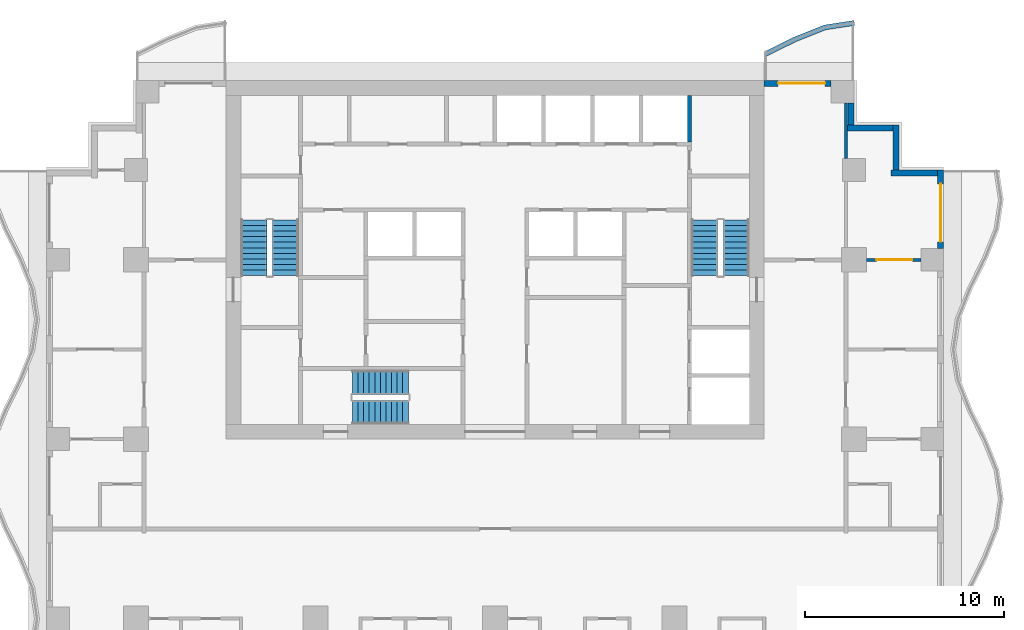
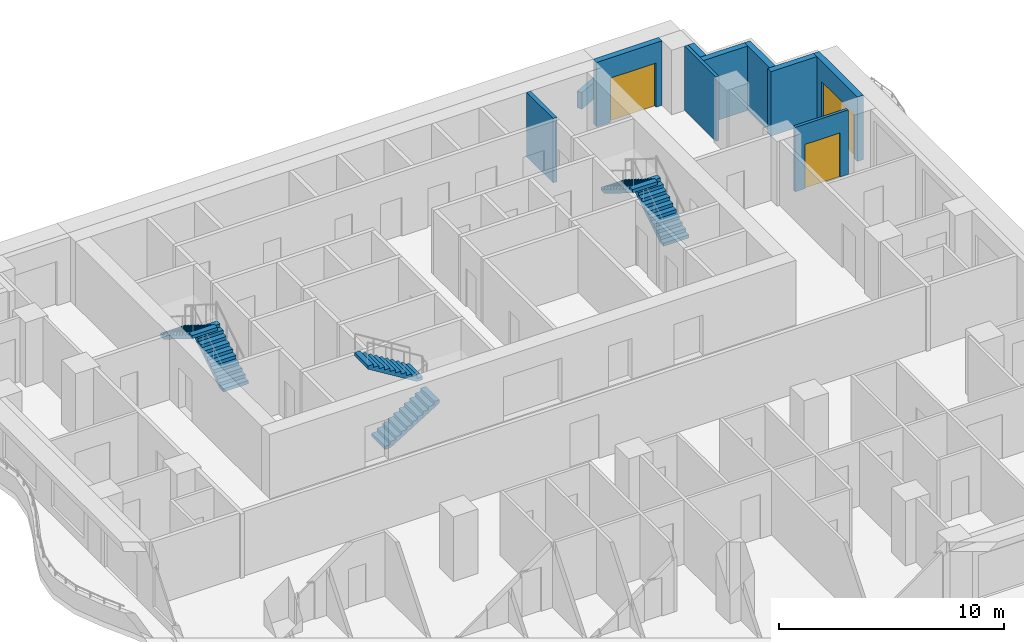
# One storey, part 6 of 10: 10 walls, 6 stair flights, 3 doors, 3 openings, 3 elements without a shape of their own.
"""IFC4 building model written with IfcOpenShell, lengths in metres."""

import ifcopenshell
import ifcopenshell.guid

model = None  # the IFC model being written
_history = None  # IfcOwnerHistory: only IFC2X3 demands one
_inside = {}  # id of a spatial element -> (the spatial element, [elements in it])
_under = {}  # id of a project, library or spatial element -> (it, [spatial elements below it])
_declared = {}  # id of a project -> (the project, [libraries it declares])
_typed = {}  # id of a type object -> (the type object, [elements of that type])
_made_of = {}  # id of a material, layer set ... -> (it, [elements and type objects made of it])


def new_model(schema):
    """Start an empty IFC model of exactly this schema.

    Asked for "IFC4X3", IfcOpenShell would pick the latest addendum, in which some entities
    have other attributes; the version numbers below select the first issue.
    IFC2X3 requires an IfcOwnerHistory on every rooted entity: one is made here for all.
    """
    global model, _history
    if schema == "IFC4X3":
        model = ifcopenshell.file(schema_version=(4, 3, 0, 0))
    else:
        model = ifcopenshell.file(schema=schema)
    _inside.clear()
    _under.clear()
    _declared.clear()
    _typed.clear()
    _made_of.clear()
    _history = None
    if model.schema == "IFC2X3":
        org = make("IfcOrganization", Name="unknown")
        user = make(
            "IfcPersonAndOrganization",
            ThePerson=make("IfcPerson", FamilyName="unknown"),
            TheOrganization=org,
        )
        app = make(
            "IfcApplication",
            ApplicationDeveloper=org,
            Version="unknown",
            ApplicationFullName="unknown",
            ApplicationIdentifier="unknown",
        )
        _history = make(
            "IfcOwnerHistory",
            OwningUser=user,
            OwningApplication=app,
            ChangeAction="ADDED",
            CreationDate=0,
        )
    return model


def make(cls, **values):
    """One entity of the class cls with the attributes given. An attribute that is None is left unset."""
    return model.create_entity(
        cls, **{name: value for name, value in values.items() if value is not None}
    )


def rooted(cls, **values):
    """An entity with a GlobalId (a new one), such as an element, a storey or a relation."""
    return make(cls, GlobalId=ifcopenshell.guid.new(), OwnerHistory=_history, **values)


def si_unit(unit_type, name, prefix=None):
    """IfcSIUnit, for example si_unit("LENGTHUNIT", "METRE", prefix="MILLI")."""
    return make("IfcSIUnit", UnitType=unit_type, Prefix=prefix, Name=name)


def assignment(units):
    """IfcUnitAssignment: the units of a project."""
    return None if units is None else make("IfcUnitAssignment", Units=units)


def point(xyz):
    """IfcCartesianPoint."""
    return None if xyz is None else make("IfcCartesianPoint", Coordinates=xyz)


def direction(xyz):
    """IfcDirection."""
    return None if xyz is None else make("IfcDirection", DirectionRatios=xyz)


def frame(location, z_axis=None, x_axis=None):
    """IfcAxis2Placement3D, a coordinate frame: its origin and axes. An axis left out is left unset."""
    return make(
        "IfcAxis2Placement3D",
        Location=point(location),
        Axis=direction(z_axis),
        RefDirection=direction(x_axis),
    )


def frame_2d(location, x_axis=None):
    """IfcAxis2Placement2D, a coordinate frame in the plane: its origin and x axis."""
    return make(
        "IfcAxis2Placement2D", Location=point(location), RefDirection=direction(x_axis)
    )


def origin():
    """The frame at (0, 0, 0) with its axes left unset."""
    return frame((0.0, 0.0, 0.0))


def place(relative_to, where):
    """IfcLocalPlacement: puts the frame where relative to a parent placement (None: the world)."""
    return make(
        "IfcLocalPlacement", PlacementRelTo=relative_to, RelativePlacement=where
    )


def context(
    kind, dimensions, precision=None, world=None, true_north=None, identifier=None
):
    """IfcGeometricRepresentationContext, for example the 3D "Model" context."""
    return make(
        "IfcGeometricRepresentationContext",
        ContextIdentifier=identifier,
        ContextType=kind,
        CoordinateSpaceDimension=dimensions,
        Precision=precision,
        WorldCoordinateSystem=world,
        TrueNorth=true_north,
    )


def subcontext(parent, identifier, kind, view, scale=None):
    """IfcGeometricRepresentationSubContext, for example "Body" below "Model"."""
    return make(
        "IfcGeometricRepresentationSubContext",
        ContextIdentifier=identifier,
        ContextType=kind,
        ParentContext=parent,
        TargetScale=scale,
        TargetView=view,
    )


def project(units=None, contexts=None):
    """IfcProject with its units and contexts."""
    return rooted(
        "IfcProject",
        Name="project",
        RepresentationContexts=contexts,
        UnitsInContext=assignment(units),
    )


def spatial(cls, under=None, at=None, **own):
    """A site, building, storey or space (cls), placed at a placement, below another one or the project."""
    s = rooted(cls, ObjectPlacement=at, **own)
    if under is not None:
        _under.setdefault(under.id(), (under, []))[1].append(s)
    return s


def polyline(points):
    """IfcPolyline through the points."""
    return make("IfcPolyline", Points=[point(p) for p in points])


def profile(cls, at=None, kind="AREA", **sizes):
    """A parametric profile (cls). Its sizes go by their IFC names, for example OverallWidth=200.0."""
    return make(cls, ProfileType=kind, Position=at, **sizes)


def rectangle(**sizes):
    """IfcRectangleProfileDef."""
    return profile("IfcRectangleProfileDef", **sizes)


def outline(outer, holes=None, kind="AREA"):
    """IfcArbitraryClosedProfileDef: a profile drawn as a closed curve; with holes, ...WithVoids."""
    if holes is None:
        return make("IfcArbitraryClosedProfileDef", ProfileType=kind, OuterCurve=outer)
    return make(
        "IfcArbitraryProfileDefWithVoids",
        ProfileType=kind,
        OuterCurve=outer,
        InnerCurves=holes,
    )


def extrude(swept, where, along, depth):
    """IfcExtrudedAreaSolid: the profile swept, set in the frame where, extruded along a direction by depth."""
    return make(
        "IfcExtrudedAreaSolid",
        SweptArea=swept,
        Position=where,
        ExtrudedDirection=direction(along),
        Depth=depth,
    )


def shape(context_of_items, identifier, shape_type, items):
    """IfcShapeRepresentation: the items that make up one representation, for example the "Body"."""
    return make(
        "IfcShapeRepresentation",
        ContextOfItems=context_of_items,
        RepresentationIdentifier=identifier,
        RepresentationType=shape_type,
        Items=items,
    )


def material(Name=None, Category=None):
    """IfcMaterial."""
    return make("IfcMaterial", Name=Name, Category=Category)


def layer(
    of_material, thickness, ventilated=None, Name=None, Category=None, Priority=None
):
    """IfcMaterialLayer: one layer of a wall or slab, of a material (None: an air gap)."""
    return make(
        "IfcMaterialLayer",
        Material=of_material,
        LayerThickness=thickness,
        IsVentilated=ventilated,
        Name=Name,
        Category=Category,
        Priority=Priority,
    )


def layer_set(layers, Name=None):
    """IfcMaterialLayerSet."""
    return make("IfcMaterialLayerSet", MaterialLayers=layers, LayerSetName=Name)


def made_of(thing, what):
    """Note that an element or type object is made of a material, layer set ...; save() writes the relation."""
    if what is not None:
        _made_of.setdefault(what.id(), (what, []))[1].append(thing)
    return thing


def type_object(cls, material=None, **own):
    """A type object (cls), such as IfcWallType, which elements share."""
    return made_of(rooted(cls, **own), material)


def element(
    cls,
    number,
    at=None,
    inside=None,
    cuts=None,
    type_object=None,
    material=None,
    context=None,
    identifier="Body",
    shape_type=None,
    held_by="IfcProductDefinitionShape",
    body=None,
    shapes=None,
    **own,
):
    """One element of the class cls, such as IfcWall. Its Tag is "e" and its number.

    at: its placement. inside: the storey or other place that contains it. cuts: it is an
    opening in that element (IfcRelVoidsElement). A single representation is given by context,
    identifier, shape_type and body (its items); several are given by shapes. held_by: the class
    of the entity that holds the representations. save() writes the other relations.
    """
    e = rooted(cls, Tag="e%d" % number, ObjectPlacement=at, **own)
    if body is not None:
        shapes = [shape(context, identifier, shape_type, body)]
    if shapes is not None:
        e.Representation = make(held_by, Representations=shapes)
    if inside is not None:
        _inside.setdefault(inside.id(), (inside, []))[1].append(e)
    if cuts is not None:
        rooted(
            "IfcRelVoidsElement", RelatingBuildingElement=cuts, RelatedOpeningElement=e
        )
    if type_object is not None:
        _typed.setdefault(type_object.id(), (type_object, []))[1].append(e)
    return made_of(e, material)


def fill(opening, filler):
    """IfcRelFillsElement: the door or window that sits in an opening."""
    return rooted(
        "IfcRelFillsElement",
        RelatingOpeningElement=opening,
        RelatedBuildingElement=filler,
    )


def aggregate(whole, parts):
    """IfcRelAggregates: a whole, such as a stair, and the parts it consists of."""
    return rooted("IfcRelAggregates", RelatingObject=whole, RelatedObjects=parts)


def save(model, path):
    """Write the relations noted so far, then the file.

    IfcRelAggregates (storeys below a building ...), IfcRelContainedInSpatialStructure (elements
    in a storey), IfcRelDefinesByType, IfcRelAssociatesMaterial and IfcRelDeclares: one each for
    every whole, place, type object, material and project.
    """
    for whole, parts in _under.values():
        aggregate(whole, parts)
    for where, things in _inside.values():
        rooted(
            "IfcRelContainedInSpatialStructure",
            RelatedElements=things,
            RelatingStructure=where,
        )
    for kind, things in _typed.values():
        rooted("IfcRelDefinesByType", RelatedObjects=things, RelatingType=kind)
    for what, things in _made_of.values():
        rooted("IfcRelAssociatesMaterial", RelatedObjects=things, RelatingMaterial=what)
    for by, libraries in _declared.values():
        rooted("IfcRelDeclares", RelatingContext=by, RelatedDefinitions=libraries)
    model.write(path)


model = new_model("IFC4")

# Units and contexts
model_context = context("Model", 3, precision=1e-05, world=origin(), true_north=direction((0.0, 1.0)))
body_context = subcontext(model_context, "Body", "Model", "MODEL_VIEW")
ifc_project = project(units=[si_unit("LENGTHUNIT", "METRE"), si_unit("AREAUNIT", "SQUARE_METRE"), si_unit("VOLUMEUNIT", "CUBIC_METRE"), si_unit("PLANEANGLEUNIT", "RADIAN"), si_unit("MASSUNIT", "GRAM", prefix="KILO")], contexts=[model_context])

# Site, building, storey
site_placement = place(None, origin())
site = spatial("IfcSite", under=ifc_project, at=site_placement, CompositionType="ELEMENT")
building_placement = place(site_placement, origin())
building = spatial("IfcBuilding", under=site, at=building_placement, Name="Orbiselva Terraces", CompositionType="ELEMENT")
storey_placement = place(building_placement, frame((0.0, 0.0, 151.6)))
storey = spatial("IfcBuildingStorey", under=building, at=storey_placement, Name="L38", CompositionType="ELEMENT", Elevation=151.6)

# Walls
ifc_material_1 = material(Name="Concrete C40/50", Category="concrete")
ifc_layer_1 = layer(ifc_material_1, 0.2)
ifc_layer_set_1 = layer_set([ifc_layer_1], Name="Concrete C40/50")
wall_type_1 = type_object("IfcWallType", Name="CORE-WALL-SHAFT-200", PredefinedType="PARTITIONING", material=ifc_layer_set_1)
wall_1_placement = place(storey_placement, frame((9.75, 19.4, 0.0), z_axis=(0.0, 0.0, 1.0), x_axis=(0.0, 1.0, 0.0)))
element("IfcWall", 1, at=wall_1_placement, inside=storey, type_object=wall_type_1, Name="L38 core wall 52", PredefinedType="PARTITIONING", context=body_context, shape_type="SweptSolid", body=[
    extrude(rectangle(XDim=2.35, YDim=0.2, at=frame_2d((1.175, 0.0))), origin(), (0.0, 0.0, 1.0), 3.5),
])
ifc_layer_2 = layer(ifc_material_1, 0.25)
ifc_layer_set_2 = layer_set([ifc_layer_2], Name="Concrete C40/50")
wall_type_2 = type_object("IfcWallType", Name="ENV-PLANTER-250x900", PredefinedType="USERDEFINED", material=ifc_layer_set_2)
wall_2_placement = place(storey_placement, origin())
element("IfcWall", 2, at=wall_2_placement, inside=storey, type_object=wall_type_2, Name="Balcony planter L38 NE", ObjectType="PLANTER", PredefinedType="USERDEFINED", context=body_context, shape_type="SweptSolid", body=[
    extrude(outline(polyline([(18.0, 25.5), (16.5, 25.27082), (15.0, 24.67082), (13.5, 23.92918), (13.610803, 23.705076), (15.101983, 24.442355), (16.566166, 25.028028), (18.037758, 25.252868), (18.0, 25.5)])), origin(), (0.0, 0.0, 1.0), 0.9),
])

# Wall, opening, door
ifc_material_2 = material(Name="Terracotta cladding on masonry backing", Category="masonry")
ifc_layer_3 = layer(ifc_material_2, 0.3)
ifc_layer_set_3 = layer_set([ifc_layer_3], Name="Terracotta cladding on masonry backing")
wall_type_3 = type_object("IfcWallType", Name="ENV-WALL-TERRACOTTA-300", PredefinedType="SOLIDWALL", material=ifc_layer_set_3)
wall_3_placement = place(storey_placement, frame((22.35, 18.0, 0.0), z_axis=(0.0, 0.0, 1.0), x_axis=(0.0, -1.0, 0.0)))
wall_3 = element("IfcWall", 3, at=wall_3_placement, inside=storey, type_object=wall_type_3, Name="Facade wall L38 E", PredefinedType="SOLIDWALL", context=body_context, shape_type="SweptSolid", body=[
    extrude(rectangle(XDim=3.925, YDim=0.3, at=frame_2d((1.9625, 0.0))), origin(), (0.0, 0.0, 1.0), 3.5),
])
opening_1_placement = place(wall_3_placement, frame((0.7, 0.0, 0.0)))
opening_1 = element("IfcOpeningElement", 4, at=opening_1_placement, cuts=wall_3, Name="Opening Z3-C-E07", PredefinedType="OPENING", context=body_context, shape_type="SweptSolid", body=[
    extrude(rectangle(XDim=2.9, YDim=2.4, at=frame_2d((1.45, 1.2))), frame((0.0, 0.16, 0.0), z_axis=(0.0, -1.0, 0.0), x_axis=(1.0, 0.0, 0.0)), (0.0, 0.0, 1.0), 0.32),
])
ifc_material_3 = material(Name="Clear low-e glazing in aluminium frame", Category="aluminium")
door_type_1 = type_object("IfcDoorType", Name="BALCONY DOOR 2900 X 2400", OperationType="DOUBLE_DOOR_SLIDING", PredefinedType="DOOR", material=ifc_material_3)
door_1_placement = place(opening_1_placement, origin())
door_1 = element("IfcDoor", 5, at=door_1_placement, inside=storey, type_object=door_type_1, Name="Z3-C-E07", OperationType="SINGLE_SWING_LEFT", OverallHeight=2.4, OverallWidth=2.9, PredefinedType="DOOR", context=body_context, shape_type="SweptSolid", body=[
    extrude(rectangle(XDim=2.9, YDim=2.4, at=frame_2d((1.45, 1.2))), frame((0.0, 0.025, 0.0), z_axis=(0.0, -1.0, 0.0), x_axis=(1.0, 0.0, 0.0)), (0.0, 0.0, 1.0), 0.05),
])
fill(opening_1, door_1)

# Walls
wall_4_placement = place(storey_placement, frame((19.85, 17.85, 0.0), z_axis=(0.0, 0.0, 1.0), x_axis=(1.0, 0.0, 0.0)))
element("IfcWall", 6, at=wall_4_placement, inside=storey, type_object=wall_type_3, Name="Facade wall L38 STEP", PredefinedType="SOLIDWALL", context=body_context, shape_type="SweptSolid", body=[
    extrude(rectangle(XDim=2.35, YDim=0.3, at=frame_2d((1.175, 0.0))), origin(), (0.0, 0.0, 1.0), 3.5),
])
wall_5_placement = place(storey_placement, frame((20.1, 20.25, 0.0), z_axis=(0.0, 0.0, 1.0), x_axis=(0.0, -1.0, 0.0)))
element("IfcWall", 7, at=wall_5_placement, inside=storey, type_object=wall_type_3, Name="Facade wall L38 STEP", PredefinedType="SOLIDWALL", context=body_context, shape_type="SweptSolid", body=[
    extrude(rectangle(XDim=2.25, YDim=0.3, at=frame_2d((1.125, 0.0))), origin(), (0.0, 0.0, 1.0), 3.5),
])
wall_6_placement = place(storey_placement, frame((17.6, 20.1, 0.0), z_axis=(0.0, 0.0, 1.0), x_axis=(1.0, 0.0, 0.0)))
element("IfcWall", 8, at=wall_6_placement, inside=storey, type_object=wall_type_3, Name="Facade wall L38 STEP", PredefinedType="SOLIDWALL", context=body_context, shape_type="SweptSolid", body=[
    extrude(rectangle(XDim=2.35, YDim=0.3, at=frame_2d((1.175, 0.0))), origin(), (0.0, 0.0, 1.0), 3.5),
])
wall_7_placement = place(storey_placement, frame((17.85, 21.35, 0.0), z_axis=(0.0, 0.0, 1.0), x_axis=(0.0, -1.0, 0.0)))
element("IfcWall", 9, at=wall_7_placement, inside=storey, type_object=wall_type_3, Name="Facade wall L38 STEP", PredefinedType="SOLIDWALL", context=body_context, shape_type="SweptSolid", body=[
    extrude(rectangle(XDim=1.1, YDim=0.3, at=frame_2d((0.55, 0.0))), origin(), (0.0, 0.0, 1.0), 3.5),
])

# Wall, opening, door
wall_8_placement = place(storey_placement, frame((13.5, 22.35, 0.0), z_axis=(0.0, 0.0, 1.0), x_axis=(1.0, 0.0, 0.0)))
wall_8 = element("IfcWall", 10, at=wall_8_placement, inside=storey, type_object=wall_type_3, Name="Facade wall L38 NE", PredefinedType="SOLIDWALL", context=body_context, shape_type="SweptSolid", body=[
    extrude(rectangle(XDim=3.35, YDim=0.3, at=frame_2d((1.675, 0.0))), origin(), (0.0, 0.0, 1.0), 3.5),
])
opening_2_placement = place(wall_8_placement, frame((0.7, 0.0, 0.0)))
opening_2 = element("IfcOpeningElement", 11, at=opening_2_placement, cuts=wall_8, Name="Opening Z3-C-E08", PredefinedType="OPENING", context=body_context, shape_type="SweptSolid", body=[
    extrude(rectangle(XDim=2.35, YDim=2.4, at=frame_2d((1.175, 1.2))), frame((0.0, 0.16, 0.0), z_axis=(0.0, -1.0, 0.0), x_axis=(1.0, 0.0, 0.0)), (0.0, 0.0, 1.0), 0.32),
])
door_type_2 = type_object("IfcDoorType", Name="BALCONY DOOR 2350 X 2400", OperationType="DOUBLE_DOOR_SLIDING", PredefinedType="DOOR", material=ifc_material_3)
door_2_placement = place(opening_2_placement, origin())
door_2 = element("IfcDoor", 12, at=door_2_placement, inside=storey, type_object=door_type_2, Name="Z3-C-E08", OperationType="SINGLE_SWING_LEFT", OverallHeight=2.4, OverallWidth=2.35, PredefinedType="DOOR", context=body_context, shape_type="SweptSolid", body=[
    extrude(rectangle(XDim=2.35, YDim=2.4, at=frame_2d((1.175, 1.2))), frame((0.0, 0.025, 0.0), z_axis=(0.0, -1.0, 0.0), x_axis=(1.0, 0.0, 0.0)), (0.0, 0.0, 1.0), 0.05),
])
fill(opening_2, door_2)

ifc_material_4 = material(Name="Plasterboard on steel stud partition", Category="steel")
ifc_layer_4 = layer(ifc_material_4, 0.15)
ifc_layer_set_4 = layer_set([ifc_layer_4], Name="Plasterboard on steel stud partition")
wall_type_4 = type_object("IfcWallType", Name="UNIT-PARTITION-150", PredefinedType="PARTITIONING", material=ifc_layer_set_4)
wall_9_placement = place(storey_placement, frame((18.625, 13.5, 0.0), z_axis=(0.0, 0.0, 1.0), x_axis=(1.0, 0.0, 0.0)))
wall_9 = element("IfcWall", 13, at=wall_9_placement, inside=storey, type_object=wall_type_4, Name="PARTITION L38-033", PredefinedType="PARTITIONING", context=body_context, shape_type="SweptSolid", body=[
    extrude(rectangle(XDim=2.725, YDim=0.15, at=frame_2d((1.3625, 0.0))), origin(), (0.0, 0.0, 1.0), 3.5),
])
opening_3_placement = place(wall_9_placement, frame((0.5, 0.0, 0.0)))
opening_3 = element("IfcOpeningElement", 14, at=opening_3_placement, cuts=wall_9, Name="Opening Z3-C-12", PredefinedType="OPENING", context=body_context, shape_type="SweptSolid", body=[
    extrude(rectangle(XDim=1.8, YDim=2.4, at=frame_2d((0.9, 1.2))), frame((0.0, 0.085, 0.0), z_axis=(0.0, -1.0, 0.0), x_axis=(1.0, 0.0, 0.0)), (0.0, 0.0, 1.0), 0.17),
])
ifc_material_5 = material(Name="Painted timber door leaf", Category="wood")
door_type_3 = type_object("IfcDoorType", Name="DOUBLE DOOR 1800", OperationType="NOTDEFINED", PredefinedType="DOOR", material=ifc_material_5)
door_3_placement = place(opening_3_placement, origin())
door_3 = element("IfcDoor", 15, at=door_3_placement, inside=storey, type_object=door_type_3, Name="Z3-C-12", OperationType="DOUBLE_DOOR_SINGLE_SWING", OverallHeight=2.4, OverallWidth=1.8, PredefinedType="DOOR", context=body_context, shape_type="SweptSolid", body=[
    extrude(rectangle(XDim=1.8, YDim=2.4, at=frame_2d((0.9, 1.2))), frame((0.0, 0.025, 0.0), z_axis=(0.0, -1.0, 0.0), x_axis=(1.0, 0.0, 0.0)), (0.0, 0.0, 1.0), 0.05),
])
fill(opening_3, door_3)

# Wall
wall_10_placement = place(storey_placement, frame((17.6, 18.575, 0.0), z_axis=(0.0, 0.0, 1.0), x_axis=(0.0, 1.0, 0.0)))
element("IfcWall", 16, at=wall_10_placement, inside=storey, type_object=wall_type_4, Name="PARTITION L38-062", PredefinedType="PARTITIONING", context=body_context, shape_type="SweptSolid", body=[
    extrude(rectangle(XDim=2.775, YDim=0.15, at=frame_2d((1.3875, 0.0))), origin(), (0.0, 0.0, 1.0), 3.5),
])

# Stair, stair flights
stair_type_1 = type_object("IfcStairType", Name="CORE-STAIR-1200", PredefinedType="HALF_TURN_STAIR", material=ifc_material_1)
stair_1_placement = place(storey_placement, origin())
stair_1 = element("IfcStair", 17, at=stair_1_placement, inside=storey, type_object=stair_type_1, Name="L38 Exit Stair S3", PredefinedType="HALF_TURN_STAIR")
stair_flight_type_1 = type_object("IfcStairFlightType", Name="CORE-STAIR-FLIGHT-1200", PredefinedType="STRAIGHT", material=ifc_material_1)
stair_flight_1_placement = place(storey_placement, frame((-7.15, 5.85, 0.0), z_axis=(0.0, 0.0, 1.0), x_axis=(1.0, 0.0, 0.0)))
stair_flight_1 = element("IfcStairFlight", 18, at=stair_flight_1_placement, type_object=stair_flight_type_1, Name="S3 flight 1", NumberOfRisers=11, NumberOfTreads=10, PredefinedType="STRAIGHT", RiserHeight=0.172727273, TreadLength=0.28, context=body_context, shape_type="SweptSolid", body=[
    extrude(outline(polyline([(0.0, 0.0), (0.0, 0.172727), (0.28, 0.172727), (0.28, 0.345455), (0.56, 0.345455), (0.56, 0.518182), (0.84, 0.518182), (0.84, 0.690909), (1.12, 0.690909), (1.12, 0.863636), (1.4, 0.863636), (1.4, 1.036364), (1.68, 1.036364), (1.68, 1.209091), (1.96, 1.209091), (1.96, 1.381818), (2.24, 1.381818), (2.24, 1.554545), (2.52, 1.554545), (2.52, 1.727273), (2.8, 1.727273), (2.8, 1.9), (2.8, 1.551028), (0.285702, 0.0), (0.0, 0.0)])), frame((0.0, 0.6, 0.0), z_axis=(0.0, -1.0, 0.0), x_axis=(1.0, 0.0, 0.0)), (0.0, 0.0, 1.0), 1.2),
])
stair_flight_2_placement = place(storey_placement, frame((-4.35, 7.35, 1.9), z_axis=(0.0, 0.0, 1.0), x_axis=(-1.0, 0.0, 0.0)))
stair_flight_2 = element("IfcStairFlight", 19, at=stair_flight_2_placement, type_object=stair_flight_type_1, Name="S3 flight 2", NumberOfRisers=11, NumberOfTreads=10, PredefinedType="STRAIGHT", RiserHeight=0.172727273, TreadLength=0.28, context=body_context, shape_type="SweptSolid", body=[
    extrude(outline(polyline([(0.0, 0.0), (0.0, 0.172727), (0.28, 0.172727), (0.28, 0.345455), (0.56, 0.345455), (0.56, 0.518182), (0.84, 0.518182), (0.84, 0.690909), (1.12, 0.690909), (1.12, 0.863636), (1.4, 0.863636), (1.4, 1.036364), (1.68, 1.036364), (1.68, 1.209091), (1.96, 1.209091), (1.96, 1.381818), (2.24, 1.381818), (2.24, 1.554545), (2.52, 1.554545), (2.52, 1.727273), (2.8, 1.727273), (2.8, 1.9), (2.8, 1.551028), (0.285702, 0.0), (0.0, 0.0)])), frame((0.0, 0.6, 0.0), z_axis=(0.0, -1.0, 0.0), x_axis=(1.0, 0.0, 0.0)), (0.0, 0.0, 1.0), 1.2),
])
aggregate(stair_1, [stair_flight_1, stair_flight_2])

stair_type_2 = type_object("IfcStairType", Name="CORE-STAIR-1300", PredefinedType="HALF_TURN_STAIR", material=ifc_material_1)
stair_2_placement = place(storey_placement, origin())
stair_2 = element("IfcStair", 20, at=stair_2_placement, inside=storey, type_object=stair_type_2, Name="L38 Exit Stair S1", PredefinedType="HALF_TURN_STAIR")
stair_flight_type_2 = type_object("IfcStairFlightType", Name="CORE-STAIR-FLIGHT-1300", PredefinedType="STRAIGHT", material=ifc_material_1)
stair_flight_3_placement = place(storey_placement, frame((-10.5, 12.7, 0.0), z_axis=(0.0, 0.0, 1.0), x_axis=(0.0, 1.0, 0.0)))
stair_flight_3 = element("IfcStairFlight", 21, at=stair_flight_3_placement, type_object=stair_flight_type_2, Name="S1 flight 1", NumberOfRisers=11, NumberOfTreads=10, PredefinedType="STRAIGHT", RiserHeight=0.172727273, TreadLength=0.28, context=body_context, shape_type="SweptSolid", body=[
    extrude(outline(polyline([(0.0, 0.0), (0.0, 0.172727), (0.28, 0.172727), (0.28, 0.345455), (0.56, 0.345455), (0.56, 0.518182), (0.84, 0.518182), (0.84, 0.690909), (1.12, 0.690909), (1.12, 0.863636), (1.4, 0.863636), (1.4, 1.036364), (1.68, 1.036364), (1.68, 1.209091), (1.96, 1.209091), (1.96, 1.381818), (2.24, 1.381818), (2.24, 1.554545), (2.52, 1.554545), (2.52, 1.727273), (2.8, 1.727273), (2.8, 1.9), (2.8, 1.551028), (0.285702, 0.0), (0.0, 0.0)])), frame((0.0, 0.65, 0.0), z_axis=(0.0, -1.0, 0.0), x_axis=(1.0, 0.0, 0.0)), (0.0, 0.0, 1.0), 1.3),
])
stair_flight_4_placement = place(storey_placement, frame((-12.1, 15.5, 1.9), z_axis=(0.0, 0.0, 1.0), x_axis=(0.0, -1.0, 0.0)))
stair_flight_4 = element("IfcStairFlight", 22, at=stair_flight_4_placement, type_object=stair_flight_type_2, Name="S1 flight 2", NumberOfRisers=11, NumberOfTreads=10, PredefinedType="STRAIGHT", RiserHeight=0.172727273, TreadLength=0.28, context=body_context, shape_type="SweptSolid", body=[
    extrude(outline(polyline([(0.0, 0.0), (0.0, 0.172727), (0.28, 0.172727), (0.28, 0.345455), (0.56, 0.345455), (0.56, 0.518182), (0.84, 0.518182), (0.84, 0.690909), (1.12, 0.690909), (1.12, 0.863636), (1.4, 0.863636), (1.4, 1.036364), (1.68, 1.036364), (1.68, 1.209091), (1.96, 1.209091), (1.96, 1.381818), (2.24, 1.381818), (2.24, 1.554545), (2.52, 1.554545), (2.52, 1.727273), (2.8, 1.727273), (2.8, 1.9), (2.8, 1.551028), (0.285702, 0.0), (0.0, 0.0)])), frame((0.0, 0.65, 0.0), z_axis=(0.0, -1.0, 0.0), x_axis=(1.0, 0.0, 0.0)), (0.0, 0.0, 1.0), 1.3),
])
aggregate(stair_2, [stair_flight_3, stair_flight_4])

stair_3_placement = place(storey_placement, origin())
stair_3 = element("IfcStair", 23, at=stair_3_placement, inside=storey, type_object=stair_type_2, Name="L38 Exit Stair S2", PredefinedType="HALF_TURN_STAIR")
stair_flight_5_placement = place(storey_placement, frame((12.1, 12.7, 0.0), z_axis=(0.0, 0.0, 1.0), x_axis=(0.0, 1.0, 0.0)))
stair_flight_5 = element("IfcStairFlight", 24, at=stair_flight_5_placement, type_object=stair_flight_type_2, Name="S2 flight 1", NumberOfRisers=11, NumberOfTreads=10, PredefinedType="STRAIGHT", RiserHeight=0.172727273, TreadLength=0.28, context=body_context, shape_type="SweptSolid", body=[
    extrude(outline(polyline([(0.0, 0.0), (0.0, 0.172727), (0.28, 0.172727), (0.28, 0.345455), (0.56, 0.345455), (0.56, 0.518182), (0.84, 0.518182), (0.84, 0.690909), (1.12, 0.690909), (1.12, 0.863636), (1.4, 0.863636), (1.4, 1.036364), (1.68, 1.036364), (1.68, 1.209091), (1.96, 1.209091), (1.96, 1.381818), (2.24, 1.381818), (2.24, 1.554545), (2.52, 1.554545), (2.52, 1.727273), (2.8, 1.727273), (2.8, 1.9), (2.8, 1.551028), (0.285702, 0.0), (0.0, 0.0)])), frame((0.0, 0.65, 0.0), z_axis=(0.0, -1.0, 0.0), x_axis=(1.0, 0.0, 0.0)), (0.0, 0.0, 1.0), 1.3),
])
stair_flight_6_placement = place(storey_placement, frame((10.5, 15.5, 1.9), z_axis=(0.0, 0.0, 1.0), x_axis=(0.0, -1.0, 0.0)))
stair_flight_6 = element("IfcStairFlight", 25, at=stair_flight_6_placement, type_object=stair_flight_type_2, Name="S2 flight 2", NumberOfRisers=11, NumberOfTreads=10, PredefinedType="STRAIGHT", RiserHeight=0.172727273, TreadLength=0.28, context=body_context, shape_type="SweptSolid", body=[
    extrude(outline(polyline([(0.0, 0.0), (0.0, 0.172727), (0.28, 0.172727), (0.28, 0.345455), (0.56, 0.345455), (0.56, 0.518182), (0.84, 0.518182), (0.84, 0.690909), (1.12, 0.690909), (1.12, 0.863636), (1.4, 0.863636), (1.4, 1.036364), (1.68, 1.036364), (1.68, 1.209091), (1.96, 1.209091), (1.96, 1.381818), (2.24, 1.381818), (2.24, 1.554545), (2.52, 1.554545), (2.52, 1.727273), (2.8, 1.727273), (2.8, 1.9), (2.8, 1.551028), (0.285702, 0.0), (0.0, 0.0)])), frame((0.0, 0.65, 0.0), z_axis=(0.0, -1.0, 0.0), x_axis=(1.0, 0.0, 0.0)), (0.0, 0.0, 1.0), 1.3),
])
aggregate(stair_3, [stair_flight_5, stair_flight_6])

save(model, "model.ifc")
